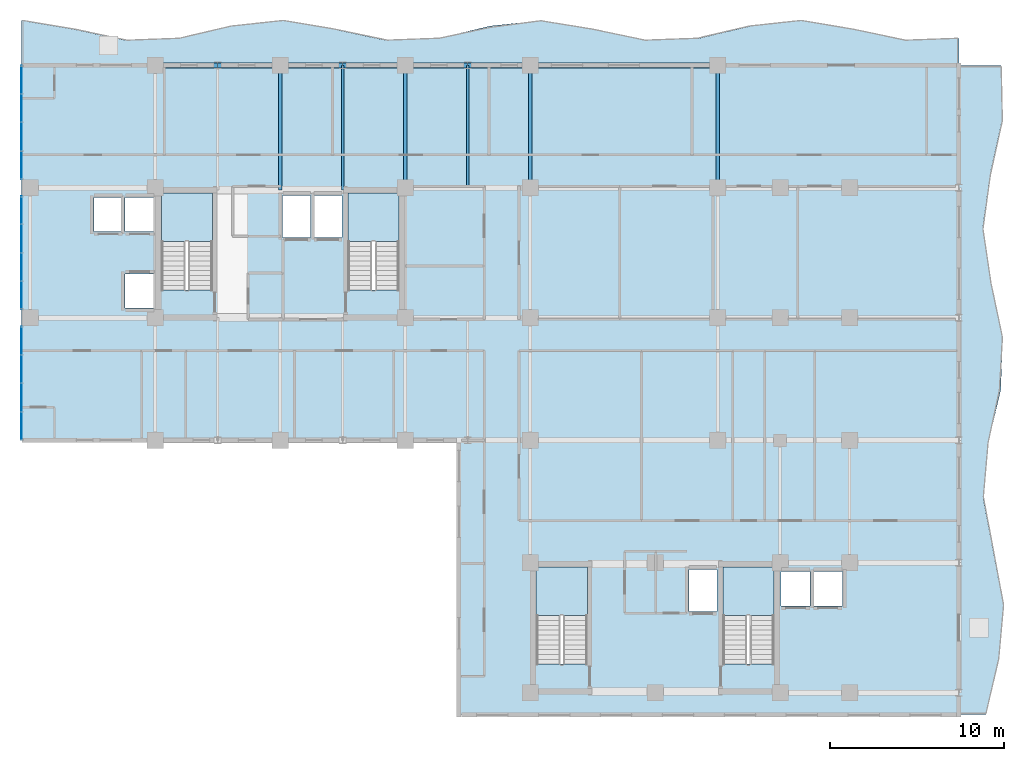
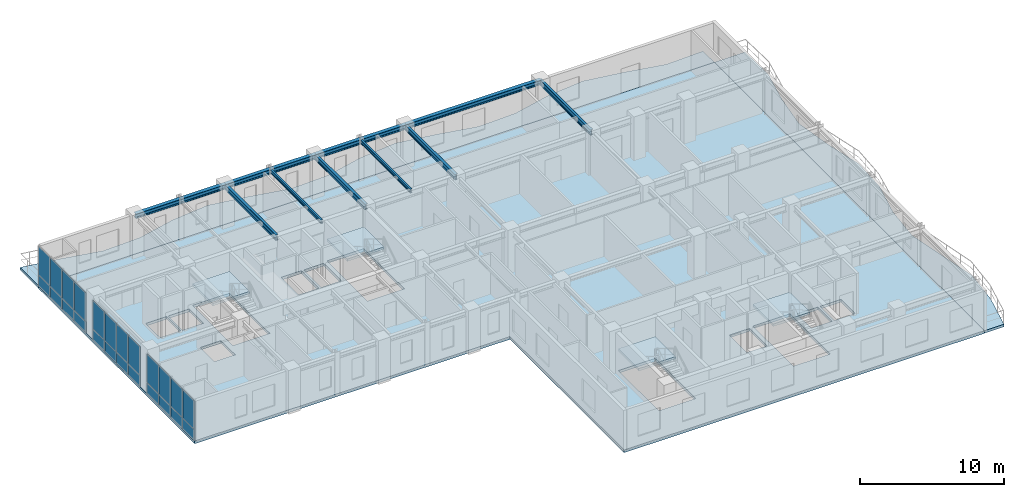
# One storey, part 11 of 20: 24 plates, 13 beams, 7 slabs, 7 elements without a shape of their own.
"""IFC4 building model written with IfcOpenShell, lengths in metres."""

from ifc_helpers import new_model, si_unit, direction, frame, origin, origin_2d, place, context, subcontext, project, spatial, polyline, rectangle, i_section, outline, extrude, source, transform, mapped, material, layer, layer_set, material_profile, profile_set, type_object, element, aggregate, save


model = new_model("IFC4")

# Units and contexts
model_context = context("Model", 3, precision=1e-05, world=origin(), true_north=direction((0.0, 1.0)))
body_context = subcontext(model_context, "Body", "Model", "MODEL_VIEW")
ifc_project = project(units=[si_unit("LENGTHUNIT", "METRE"), si_unit("AREAUNIT", "SQUARE_METRE"), si_unit("VOLUMEUNIT", "CUBIC_METRE"), si_unit("PLANEANGLEUNIT", "RADIAN"), si_unit("MASSUNIT", "GRAM", prefix="KILO")], contexts=[model_context])

# Site, building, storey
site_placement = place(None, origin())
site = spatial("IfcSite", under=ifc_project, at=site_placement, CompositionType="ELEMENT")
building_placement = place(site_placement, origin())
building = spatial("IfcBuilding", under=site, at=building_placement, Name="Kaliganga Portal Commons", CompositionType="ELEMENT")
storey_placement = place(building_placement, frame((0.0, 0.0, 216.60009765625)))
storey = spatial("IfcBuildingStorey", under=building, at=storey_placement, Name="L55", CompositionType="ELEMENT", Elevation=216.60009765625)

# Beams
ifc_material_1 = material(Name="Structural steel S355J2", Category="steel")
ifc_material_profile_1 = material_profile(ifc_material_1, i_section(OverallWidth=0.18994140625, OverallDepth=0.449951171875, WebThickness=0.009521484375, FlangeThickness=0.0146484375, FilletRadius=0.02099609375, at=origin_2d()), Name="IPE 450")
ifc_profile_set_1 = profile_set([ifc_material_profile_1], Name="Structural steel S355J2 wide-flange")
beam_type_1 = type_object("IfcBeamType", Name="BM-FLR-450", PredefinedType="BEAM", material=ifc_profile_set_1)
shared_shape_1 = source(origin(), body_context, "Body", "SweptSolid", [
    extrude(i_section(OverallWidth=0.18994140625, OverallDepth=0.449951171875, WebThickness=0.009521484375, FlangeThickness=0.0146484375, FilletRadius=0.02099609375, at=origin_2d()), origin(), (0.0, 0.0, 1.0), 7.050048828125),
])
for number, where, z_axis, x_axis, name in (
    (1, (28.800048828125, 36.14990234375, 3.244873046875), (0.0, 1.0, 0.0), (-1.0, 0.0, 0.0), "BM G L55 AN288"),
    (2, (36.0, 36.14990234375, 3.244873046875), (0.0, 1.0, 0.0), (-1.0, 0.0, 0.0), "BM G L55 AN360"),
    (3, (46.800048828125, 36.14990234375, 3.244873046875), (0.0, 1.0, 0.0), (-1.0, 0.0, 0.0), "BM G L55 AN468"),
):
    element("IfcBeam", number, at=place(storey_placement, frame(where, z_axis=z_axis, x_axis=x_axis)), inside=storey, type_object=beam_type_1, Name=name, PredefinedType="BEAM", context=body_context, shape_type="MappedRepresentation", body=[
        mapped(shared_shape_1, transform((0.0, 0.0, 0.0), x_axis=(1.0, 0.0, 0.0), y_axis=(0.0, 1.0, 0.0), z_axis=(0.0, 0.0, 1.0), scale=1.0)),
    ])
ifc_material_profile_2 = material_profile(ifc_material_1, i_section(OverallWidth=0.14990234375, OverallDepth=0.300048828125, WebThickness=0.007080078125, FlangeThickness=0.0107421875, FilletRadius=0.014892578125, at=origin_2d()), Name="IPE 300")
ifc_profile_set_2 = profile_set([ifc_material_profile_2], Name="Structural steel S355J2 wide-flange")
beam_type_2 = type_object("IfcBeamType", Name="BM-JST-300", PredefinedType="JOIST", material=ifc_profile_set_2)
shared_shape_2 = source(origin(), body_context, "Body", "SweptSolid", [
    extrude(i_section(OverallWidth=0.14990234375, OverallDepth=0.300048828125, WebThickness=0.007080078125, FlangeThickness=0.0107421875, FilletRadius=0.014892578125, at=origin_2d()), origin(), (0.0, 0.0, 1.0), 7.050048828125),
])
beam_1_placement = place(storey_placement, frame((32.39990234375, 36.14990234375, 3.31982421875), z_axis=(0.0, 1.0, 0.0), x_axis=(-1.0, 0.0, 0.0)))
element("IfcBeam", 4, at=beam_1_placement, inside=storey, type_object=beam_type_2, Name="BM G L55 AN324", PredefinedType="JOIST", context=body_context, shape_type="MappedRepresentation", body=[
    mapped(shared_shape_2, transform((0.0, 0.0, 0.0), x_axis=(1.0, 0.0, 0.0), y_axis=(0.0, 1.0, 0.0), z_axis=(0.0, 0.0, 1.0), scale=1.0)),
])
ifc_material_profile_3 = material_profile(ifc_material_1, i_section(OverallWidth=0.300048828125, OverallDepth=0.39990234375, WebThickness=0.013427734375, FlangeThickness=0.02392578125, FilletRadius=0.027099609375, at=origin_2d()), Name="HE 400 B")
ifc_profile_set_3 = profile_set([ifc_material_profile_3], Name="Structural steel S355J2 wide-flange")
beam_type_3 = type_object("IfcBeamType", Name="BM-SPAND-400", PredefinedType="SPANDREL", material=ifc_profile_set_3)
shared_shape_3 = source(origin(), body_context, "Body", "SweptSolid", [
    extrude(i_section(OverallWidth=0.300048828125, OverallDepth=0.39990234375, WebThickness=0.013427734375, FlangeThickness=0.02392578125, FilletRadius=0.027099609375, at=origin_2d()), origin(), (0.0, 0.0, 1.0), 3.60009765625),
])
for number, where, z_axis, x_axis, name in (
    (5, (14.39990234375, 43.199951171875, 3.27001953125), (1.0, 0.0, 0.0), (0.0, 1.0, 0.0), "BM SP L55 AN 1"),
    (6, (18.0, 43.199951171875, 3.27001953125), (1.0, 0.0, 0.0), (0.0, 1.0, 0.0), "BM SP L55 AN 2"),
    (7, (25.199951171875, 43.199951171875, 3.27001953125), (1.0, 0.0, 0.0), (0.0, 1.0, 0.0), "BM SP L55 AN 4"),
    (8, (32.39990234375, 43.199951171875, 3.27001953125), (1.0, 0.0, 0.0), (0.0, 1.0, 0.0), "BM SP L55 AN 6"),
):
    element("IfcBeam", number, at=place(storey_placement, frame(where, z_axis=z_axis, x_axis=x_axis)), inside=storey, type_object=beam_type_3, Name=name, PredefinedType="SPANDREL", context=body_context, shape_type="MappedRepresentation", body=[
        mapped(shared_shape_3, transform((0.0, 0.0, 0.0), x_axis=(1.0, 0.0, 0.0), y_axis=(0.0, 1.0, 0.0), z_axis=(0.0, 0.0, 1.0), scale=1.0)),
    ])
shared_shape_4 = source(origin(), body_context, "Body", "SweptSolid", [
    extrude(i_section(OverallWidth=0.300048828125, OverallDepth=0.39990234375, WebThickness=0.013427734375, FlangeThickness=0.02392578125, FilletRadius=0.027099609375, at=origin_2d()), origin(), (0.0, 0.0, 1.0), 3.599853515625),
])
for number, where, z_axis, x_axis, name in (
    (9, (21.60009765625, 43.199951171875, 3.27001953125), (1.0, 0.0, 0.0), (0.0, 1.0, 0.0), "BM SP L55 AN 3"),
    (10, (28.800048828125, 43.199951171875, 3.27001953125), (1.0, 0.0, 0.0), (0.0, 1.0, 0.0), "BM SP L55 AN 5"),
):
    element("IfcBeam", number, at=place(storey_placement, frame(where, z_axis=z_axis, x_axis=x_axis)), inside=storey, type_object=beam_type_3, Name=name, PredefinedType="SPANDREL", context=body_context, shape_type="MappedRepresentation", body=[
        mapped(shared_shape_4, transform((0.0, 0.0, 0.0), x_axis=(1.0, 0.0, 0.0), y_axis=(0.0, 1.0, 0.0), z_axis=(0.0, 0.0, 1.0), scale=1.0)),
    ])
shared_shape_5 = source(origin(), body_context, "Body", "SweptSolid", [
    extrude(i_section(OverallWidth=0.300048828125, OverallDepth=0.39990234375, WebThickness=0.013427734375, FlangeThickness=0.02392578125, FilletRadius=0.027099609375, at=origin_2d()), origin(), (0.0, 0.0, 1.0), 10.800048828125),
])
beam_2_placement = place(storey_placement, frame((36.0, 43.199951171875, 3.27001953125), z_axis=(1.0, 0.0, 0.0), x_axis=(0.0, 1.0, 0.0)))
element("IfcBeam", 11, at=beam_2_placement, inside=storey, type_object=beam_type_3, Name="BM SP L55 AN 7", PredefinedType="SPANDREL", context=body_context, shape_type="MappedRepresentation", body=[
    mapped(shared_shape_5, transform((0.0, 0.0, 0.0), x_axis=(1.0, 0.0, 0.0), y_axis=(0.0, 1.0, 0.0), z_axis=(0.0, 0.0, 1.0), scale=1.0)),
])
shared_shape_6 = source(origin(), body_context, "Body", "SweptSolid", [
    extrude(i_section(OverallWidth=0.14990234375, OverallDepth=0.300048828125, WebThickness=0.007080078125, FlangeThickness=0.0107421875, FilletRadius=0.014892578125, at=origin_2d()), origin(), (0.0, 0.0, 1.0), 7.175048828125),
])
beam_3_placement = place(storey_placement, frame((25.199951171875, 36.02490234375, 3.31982421875), z_axis=(0.0, 1.0, 0.0), x_axis=(-1.0, 0.0, 0.0)))
element("IfcBeam", 12, at=beam_3_placement, inside=storey, type_object=beam_type_2, Name="BM G L55 AN252", PredefinedType="JOIST", context=body_context, shape_type="MappedRepresentation", body=[
    mapped(shared_shape_6, transform((0.0, 0.0, 0.0), x_axis=(1.0, 0.0, 0.0), y_axis=(0.0, 1.0, 0.0), z_axis=(0.0, 0.0, 1.0), scale=1.0)),
])
shared_shape_7 = source(origin(), body_context, "Body", "SweptSolid", [
    extrude(i_section(OverallWidth=0.18994140625, OverallDepth=0.449951171875, WebThickness=0.009521484375, FlangeThickness=0.0146484375, FilletRadius=0.02099609375, at=origin_2d()), origin(), (0.0, 0.0, 1.0), 7.175048828125),
])
beam_4_placement = place(storey_placement, frame((21.60009765625, 36.02490234375, 3.244873046875), z_axis=(0.0, 1.0, 0.0), x_axis=(-1.0, 0.0, 0.0)))
element("IfcBeam", 13, at=beam_4_placement, inside=storey, type_object=beam_type_1, Name="BM G L55 AN216", PredefinedType="BEAM", context=body_context, shape_type="MappedRepresentation", body=[
    mapped(shared_shape_7, transform((0.0, 0.0, 0.0), x_axis=(1.0, 0.0, 0.0), y_axis=(0.0, 1.0, 0.0), z_axis=(0.0, 0.0, 1.0), scale=1.0)),
])

# Slabs
ifc_material_2 = material(Name="Concrete C40/50", Category="concrete")
ifc_layer_1 = layer(ifc_material_2, 0.2099609375)
ifc_layer_set_1 = layer_set([ifc_layer_1], Name="Concrete C40/50")
slab_type_1 = type_object("IfcSlabType", Name="SLB-BALC-210", PredefinedType="FLOOR", material=ifc_layer_set_1)
slab_1_placement = place(storey_placement, frame((0.0, 0.0, -0.210205078125)))
element("IfcSlab", 14, at=slab_1_placement, inside=storey, type_object=slab_type_1, Name="Scalloped Tree-Planter Balcony Slab L55 balc_north", PredefinedType="FLOOR", context=body_context, shape_type="SweptSolid", body=[
    extrude(outline(polyline([(60.699951171875, 43.199951171875), (60.699951171875, 44.760498046875), (57.699951171875, 44.6484375), (54.699951171875, 45.286376953125), (51.699951171875, 45.79248046875), (48.699951171875, 45.467529296875), (45.699951171875, 44.760498046875), (42.699951171875, 44.6484375), (39.699951171875, 45.286376953125), (36.699951171875, 45.79248046875), (33.699951171875, 45.467529296875), (30.699951171875, 44.760498046875), (27.699951171875, 44.6484375), (24.699951171875, 45.286376953125), (21.699951171875, 45.79248046875), (18.699951171875, 45.467529296875), (15.699951171875, 44.760498046875), (12.699951171875, 44.6484375), (9.699951171875, 45.286376953125), (6.699951171875, 45.79248046875), (6.699951171875, 43.199951171875), (60.699951171875, 43.199951171875)])), origin(), (0.0, 0.0, 1.0), 0.210205078125),
])
slab_2_placement = place(storey_placement, frame((0.0, 0.0, -0.210205078125)))
element("IfcSlab", 15, at=slab_2_placement, inside=storey, type_object=slab_type_1, Name="Scalloped Tree-Planter Balcony Slab L55 balc_east", PredefinedType="FLOOR", context=body_context, shape_type="SweptSolid", body=[
    extrude(outline(polyline([(60.699951171875, 5.800048828125), (62.260498046875, 5.800048828125), (62.99365234375, 8.916748046875), (63.2802734375, 12.033203125), (62.697509765625, 15.14990234375), (62.10498046875, 18.2666015625), (62.377197265625, 21.38330078125), (63.112548828125, 24.5), (63.2255859375, 27.61669921875), (62.5498046875, 30.7333984375), (62.082275390625, 33.85009765625), (62.512939453125, 36.966796875), (63.206298828125, 40.083251953125), (63.139404296875, 43.199951171875), (60.699951171875, 43.199951171875), (60.699951171875, 5.800048828125)])), origin(), (0.0, 0.0, 1.0), 0.210205078125),
])

# Stair, slab
stair_type = type_object("IfcStairType", Name="ST-CORE-DOGLEG", PredefinedType="HALF_TURN_STAIR", material=ifc_material_2)
stair_1_placement = place(storey_placement, origin())
stair_1 = element("IfcStair", 16, at=stair_1_placement, inside=storey, type_object=stair_type, Name="L55 Protected Exit Stair ST-A1", PredefinedType="HALF_TURN_STAIR")
ifc_layer_2 = layer(ifc_material_2, 0.199951171875)
ifc_layer_set_2 = layer_set([ifc_layer_2], Name="Concrete C40/50")
slab_type_2 = type_object("IfcSlabType", Name="SLB-STAIR-LND", PredefinedType="LANDING", material=ifc_layer_set_2)
slab_3_placement = place(storey_placement, frame((0.0, 0.0, 1.64990234375)))
slab_3 = element("IfcSlab", 17, at=slab_3_placement, type_object=slab_type_2, Name="ST-A1 landing 1", PredefinedType="LANDING", context=body_context, shape_type="SweptSolid", body=[
    extrude(outline(polyline([(17.699951171875, 33.050048828125), (17.699951171875, 35.85009765625), (14.75, 35.85009765625), (14.75, 33.050048828125), (17.699951171875, 33.050048828125)])), origin(), (0.0, 0.0, 1.0), 0.199951171875),
])
aggregate(stair_1, [slab_3])

stair_2_placement = place(storey_placement, origin())
stair_2 = element("IfcStair", 18, at=stair_2_placement, inside=storey, type_object=stair_type, Name="L55 Protected Exit Stair ST-A2", PredefinedType="HALF_TURN_STAIR")
slab_4_placement = place(storey_placement, frame((0.0, 0.0, 1.64990234375)))
slab_4 = element("IfcSlab", 19, at=slab_4_placement, type_object=slab_type_2, Name="ST-A2 landing 1", PredefinedType="LANDING", context=body_context, shape_type="SweptSolid", body=[
    extrude(outline(polyline([(28.449951171875, 33.050048828125), (28.449951171875, 35.85009765625), (25.5, 35.85009765625), (25.5, 33.050048828125), (28.449951171875, 33.050048828125)])), origin(), (0.0, 0.0, 1.0), 0.199951171875),
])
aggregate(stair_2, [slab_4])

stair_3_placement = place(storey_placement, origin())
stair_3 = element("IfcStair", 20, at=stair_3_placement, inside=storey, type_object=stair_type, Name="L55 Protected Exit Stair ST-B1", PredefinedType="HALF_TURN_STAIR")
slab_5_placement = place(storey_placement, frame((0.0, 0.0, 1.64990234375)))
slab_5 = element("IfcSlab", 21, at=slab_5_placement, type_object=slab_type_2, Name="ST-B1 landing 1", PredefinedType="LANDING", context=body_context, shape_type="SweptSolid", body=[
    extrude(outline(polyline([(39.300048828125, 11.5), (39.300048828125, 14.300048828125), (36.35009765625, 14.300048828125), (36.35009765625, 11.5), (39.300048828125, 11.5)])), origin(), (0.0, 0.0, 1.0), 0.199951171875),
])
aggregate(stair_3, [slab_5])

stair_4_placement = place(storey_placement, origin())
stair_4 = element("IfcStair", 22, at=stair_4_placement, inside=storey, type_object=stair_type, Name="L55 Protected Exit Stair ST-B2", PredefinedType="HALF_TURN_STAIR")
slab_6_placement = place(storey_placement, frame((0.0, 0.0, 1.64990234375)))
slab_6 = element("IfcSlab", 23, at=slab_6_placement, type_object=slab_type_2, Name="ST-B2 landing 1", PredefinedType="LANDING", context=body_context, shape_type="SweptSolid", body=[
    extrude(outline(polyline([(50.050048828125, 11.5), (50.050048828125, 14.300048828125), (47.10009765625, 14.300048828125), (47.10009765625, 11.5), (50.050048828125, 11.5)])), origin(), (0.0, 0.0, 1.0), 0.199951171875),
])
aggregate(stair_4, [slab_6])

# Slab
ifc_layer_3 = layer(ifc_material_2, 0.22998046875)
ifc_layer_set_3 = layer_set([ifc_layer_3], Name="Concrete C40/50")
slab_type_3 = type_object("IfcSlabType", Name="SLB-TWR-230", PredefinedType="FLOOR", material=ifc_layer_set_3)
slab_7_placement = place(storey_placement, frame((0.0, 0.0, -0.22998046875)))
element("IfcSlab", 24, at=slab_7_placement, inside=storey, type_object=slab_type_3, Name="Structural Floor Slab L55", PredefinedType="FLOOR", context=body_context, shape_type="SweptSolid", body=[
    extrude(outline(polyline([(31.89990234375, 5.800048828125), (60.699951171875, 5.800048828125), (60.699951171875, 43.199951171875), (6.699951171875, 43.199951171875), (6.699951171875, 21.60009765625), (31.89990234375, 21.60009765625), (31.89990234375, 5.800048828125)]), holes=[polyline([(14.75, 30.25390625), (14.75, 35.85009765625), (17.699951171875, 35.85009765625), (17.699951171875, 30.25390625), (14.75, 30.25390625)]), polyline([(25.5, 30.25390625), (25.5, 35.85009765625), (28.449951171875, 35.85009765625), (28.449951171875, 30.25390625), (25.5, 30.25390625)]), polyline([(36.35009765625, 8.7041015625), (36.35009765625, 14.300048828125), (39.300048828125, 14.300048828125), (39.300048828125, 8.7041015625), (36.35009765625, 8.7041015625)]), polyline([(47.10009765625, 8.7041015625), (47.10009765625, 14.300048828125), (50.050048828125, 14.300048828125), (50.050048828125, 8.7041015625), (47.10009765625, 8.7041015625)]), polyline([(12.6650390625, 33.614990234375), (12.6650390625, 35.5849609375), (14.3349609375, 35.5849609375), (14.3349609375, 33.614990234375), (12.6650390625, 33.614990234375)]), polyline([(12.6650390625, 29.215087890625), (12.6650390625, 31.18505859375), (14.3349609375, 31.18505859375), (14.3349609375, 29.215087890625), (12.6650390625, 29.215087890625)]), polyline([(10.864990234375, 33.614990234375), (10.864990234375, 35.5849609375), (12.534912109375, 35.5849609375), (12.534912109375, 33.614990234375), (10.864990234375, 33.614990234375)]), polyline([(21.739990234375, 33.2900390625), (21.739990234375, 35.7099609375), (23.360107421875, 35.7099609375), (23.360107421875, 33.2900390625), (21.739990234375, 33.2900390625)]), polyline([(23.5400390625, 33.2900390625), (23.5400390625, 35.7099609375), (25.159912109375, 35.7099609375), (25.159912109375, 33.2900390625), (23.5400390625, 33.2900390625)]), polyline([(50.465087890625, 12.06494140625), (50.465087890625, 14.034912109375), (52.135009765625, 14.034912109375), (52.135009765625, 12.06494140625), (50.465087890625, 12.06494140625)]), polyline([(52.31494140625, 12.06494140625), (52.31494140625, 14.034912109375), (53.985107421875, 14.034912109375), (53.985107421875, 12.06494140625), (52.31494140625, 12.06494140625)]), polyline([(45.139892578125, 11.739990234375), (45.139892578125, 14.159912109375), (46.760009765625, 14.159912109375), (46.760009765625, 11.739990234375), (45.139892578125, 11.739990234375)])]), origin(), (0.0, 0.0, 1.0), 0.22998046875),
])

# Curtain wall, plates
ifc_material_3 = material(Name="Anodized Aluminium and Laminated Low-E Glass", Category="aluminium")
ifc_layer_4 = layer(ifc_material_3, 0.199951171875)
ifc_layer_set_4 = layer_set([ifc_layer_4], Name="Anodized Aluminium and Laminated Low-E Glass")
curtain_wall_type = type_object("IfcCurtainWallType", Name="CW-SYS-02", PredefinedType="NOTDEFINED", material=ifc_layer_set_4)
curtain_wall_1_placement = place(storey_placement, origin())
curtain_wall_1 = element("IfcCurtainWall", 25, at=curtain_wall_1_placement, inside=storey, type_object=curtain_wall_type, Name="CW 02 L55 P1E03S1", PredefinedType="NOTDEFINED")
ifc_material_4 = material(Name="Insulated Dark Spandrel Panel", Category="metal")
ifc_layer_5 = layer(ifc_material_4, 0.044921875)
ifc_layer_set_5 = layer_set([ifc_layer_5], Name="Insulated Dark Spandrel Panel")
plate_type_1 = type_object("IfcPlateType", Name="PLT-SPN-45", PredefinedType="SHEET", material=ifc_layer_set_5)
shared_shape_8 = source(origin(), body_context, "Body", "SweptSolid", [
    extrude(rectangle(XDim=1.603515625, YDim=0.044921875, at=origin_2d()), origin(), (0.0, 0.0, 1.0), 0.929931640625),
])
plate_1_placement = place(storey_placement, frame((6.699951171875, 42.37841796875, 0.009765625), z_axis=(0.0, 0.0, 1.0), x_axis=(0.0, -1.0, 0.0)))
plate_1 = element("IfcPlate", 26, at=plate_1_placement, type_object=plate_type_1, Name="CW:02:L55:P1E03S1 Spandrel 00", PredefinedType="SHEET", context=body_context, shape_type="MappedRepresentation", body=[
    mapped(shared_shape_8, transform((0.0, 0.0, 0.0), x_axis=(1.0, 0.0, 0.0), y_axis=(0.0, 1.0, 0.0), z_axis=(0.0, 0.0, 1.0), scale=1.0)),
])
plate_2_placement = place(storey_placement, frame((6.699951171875, 40.734619140625, 0.009765625), z_axis=(0.0, 0.0, 1.0), x_axis=(0.0, -1.0, 0.0)))
plate_2 = element("IfcPlate", 27, at=plate_2_placement, type_object=plate_type_1, Name="CW:02:L55:P1E03S1 Spandrel 01", PredefinedType="SHEET", context=body_context, shape_type="MappedRepresentation", body=[
    mapped(shared_shape_8, transform((0.0, 0.0, 0.0), x_axis=(1.0, 0.0, 0.0), y_axis=(0.0, 1.0, 0.0), z_axis=(0.0, 0.0, 1.0), scale=1.0)),
])
plate_3_placement = place(storey_placement, frame((6.699951171875, 39.09130859375, 0.009765625), z_axis=(0.0, 0.0, 1.0), x_axis=(0.0, -1.0, 0.0)))
plate_3 = element("IfcPlate", 28, at=plate_3_placement, type_object=plate_type_1, Name="CW:02:L55:P1E03S1 Spandrel 02", PredefinedType="SHEET", context=body_context, shape_type="MappedRepresentation", body=[
    mapped(shared_shape_8, transform((0.0, 0.0, 0.0), x_axis=(1.0, 0.0, 0.0), y_axis=(0.0, 1.0, 0.0), z_axis=(0.0, 0.0, 1.0), scale=1.0)),
])
plate_4_placement = place(storey_placement, frame((6.699951171875, 37.44775390625, 0.009765625), z_axis=(0.0, 0.0, 1.0), x_axis=(0.0, -1.0, 0.0)))
plate_4 = element("IfcPlate", 29, at=plate_4_placement, type_object=plate_type_1, Name="CW:02:L55:P1E03S1 Spandrel 03", PredefinedType="SHEET", context=body_context, shape_type="MappedRepresentation", body=[
    mapped(shared_shape_8, transform((0.0, 0.0, 0.0), x_axis=(1.0, 0.0, 0.0), y_axis=(0.0, 1.0, 0.0), z_axis=(0.0, 0.0, 1.0), scale=1.0)),
])

curtain_wall_2_placement = place(storey_placement, origin())
curtain_wall_2 = element("IfcCurtainWall", 30, at=curtain_wall_2_placement, inside=storey, type_object=curtain_wall_type, Name="CW 02 L55 P1E03S3", PredefinedType="NOTDEFINED")
plate_5_placement = place(storey_placement, frame((6.699951171875, 27.352294921875, 0.009765625), z_axis=(0.0, 0.0, 1.0), x_axis=(0.0, -1.0, 0.0)))
plate_5 = element("IfcPlate", 31, at=plate_5_placement, type_object=plate_type_1, Name="CW:02:L55:P1E03S3 Spandrel 00", PredefinedType="SHEET", context=body_context, shape_type="MappedRepresentation", body=[
    mapped(shared_shape_8, transform((0.0, 0.0, 0.0), x_axis=(1.0, 0.0, 0.0), y_axis=(0.0, 1.0, 0.0), z_axis=(0.0, 0.0, 1.0), scale=1.0)),
])
plate_6_placement = place(storey_placement, frame((6.699951171875, 25.708740234375, 0.009765625), z_axis=(0.0, 0.0, 1.0), x_axis=(0.0, -1.0, 0.0)))
plate_6 = element("IfcPlate", 32, at=plate_6_placement, type_object=plate_type_1, Name="CW:02:L55:P1E03S3 Spandrel 01", PredefinedType="SHEET", context=body_context, shape_type="MappedRepresentation", body=[
    mapped(shared_shape_8, transform((0.0, 0.0, 0.0), x_axis=(1.0, 0.0, 0.0), y_axis=(0.0, 1.0, 0.0), z_axis=(0.0, 0.0, 1.0), scale=1.0)),
])
plate_7_placement = place(storey_placement, frame((6.699951171875, 24.065185546875, 0.009765625), z_axis=(0.0, 0.0, 1.0), x_axis=(0.0, -1.0, 0.0)))
plate_7 = element("IfcPlate", 33, at=plate_7_placement, type_object=plate_type_1, Name="CW:02:L55:P1E03S3 Spandrel 02", PredefinedType="SHEET", context=body_context, shape_type="MappedRepresentation", body=[
    mapped(shared_shape_8, transform((0.0, 0.0, 0.0), x_axis=(1.0, 0.0, 0.0), y_axis=(0.0, 1.0, 0.0), z_axis=(0.0, 0.0, 1.0), scale=1.0)),
])
plate_8_placement = place(storey_placement, frame((6.699951171875, 22.421875, 0.009765625), z_axis=(0.0, 0.0, 1.0), x_axis=(0.0, -1.0, 0.0)))
plate_8 = element("IfcPlate", 34, at=plate_8_placement, type_object=plate_type_1, Name="CW:02:L55:P1E03S3 Spandrel 03", PredefinedType="SHEET", context=body_context, shape_type="MappedRepresentation", body=[
    mapped(shared_shape_8, transform((0.0, 0.0, 0.0), x_axis=(1.0, 0.0, 0.0), y_axis=(0.0, 1.0, 0.0), z_axis=(0.0, 0.0, 1.0), scale=1.0)),
])

# Plate
ifc_material_5 = material(Name="Dark Solar-Control Laminated Low-E IGU", Category="glass")
ifc_layer_6 = layer(ifc_material_5, 0.028076171875)
ifc_layer_set_6 = layer_set([ifc_layer_6], Name="Dark Solar-Control Laminated Low-E IGU")
plate_type_2 = type_object("IfcPlateType", Name="PLT-GLZ-28", PredefinedType="CURTAIN_PANEL", material=ifc_layer_set_6)
shared_shape_9 = source(origin(), body_context, "Body", "SweptSolid", [
    extrude(rectangle(XDim=1.603515625, YDim=0.028076171875, at=origin_2d()), origin(), (0.0, 0.0, 1.0), 2.419921875),
])
plate_9_placement = place(storey_placement, frame((6.699951171875, 42.37841796875, 0.9599609375), z_axis=(0.0, 0.0, 1.0), x_axis=(0.0, -1.0, 0.0)))
plate_9 = element("IfcPlate", 35, at=plate_9_placement, type_object=plate_type_2, Name="CW:02:L55:P1E03S1 Vision IGU 00", PredefinedType="CURTAIN_PANEL", context=body_context, shape_type="MappedRepresentation", body=[
    mapped(shared_shape_9, transform((0.0, 0.0, 0.0), x_axis=(1.0, 0.0, 0.0), y_axis=(0.0, 1.0, 0.0), z_axis=(0.0, 0.0, 1.0), scale=1.0)),
])

plate_10_placement = place(storey_placement, frame((6.699951171875, 40.734619140625, 0.9599609375), z_axis=(0.0, 0.0, 1.0), x_axis=(0.0, -1.0, 0.0)))
plate_10 = element("IfcPlate", 36, at=plate_10_placement, type_object=plate_type_2, Name="CW:02:L55:P1E03S1 Vision IGU 01", PredefinedType="CURTAIN_PANEL", context=body_context, shape_type="MappedRepresentation", body=[
    mapped(shared_shape_9, transform((0.0, 0.0, 0.0), x_axis=(1.0, 0.0, 0.0), y_axis=(0.0, 1.0, 0.0), z_axis=(0.0, 0.0, 1.0), scale=1.0)),
])

plate_11_placement = place(storey_placement, frame((6.699951171875, 39.09130859375, 0.9599609375), z_axis=(0.0, 0.0, 1.0), x_axis=(0.0, -1.0, 0.0)))
plate_11 = element("IfcPlate", 37, at=plate_11_placement, type_object=plate_type_2, Name="CW:02:L55:P1E03S1 Vision IGU 02", PredefinedType="CURTAIN_PANEL", context=body_context, shape_type="MappedRepresentation", body=[
    mapped(shared_shape_9, transform((0.0, 0.0, 0.0), x_axis=(1.0, 0.0, 0.0), y_axis=(0.0, 1.0, 0.0), z_axis=(0.0, 0.0, 1.0), scale=1.0)),
])

plate_12_placement = place(storey_placement, frame((6.699951171875, 37.44775390625, 0.9599609375), z_axis=(0.0, 0.0, 1.0), x_axis=(0.0, -1.0, 0.0)))
plate_12 = element("IfcPlate", 38, at=plate_12_placement, type_object=plate_type_2, Name="CW:02:L55:P1E03S1 Vision IGU 03", PredefinedType="CURTAIN_PANEL", context=body_context, shape_type="MappedRepresentation", body=[
    mapped(shared_shape_9, transform((0.0, 0.0, 0.0), x_axis=(1.0, 0.0, 0.0), y_axis=(0.0, 1.0, 0.0), z_axis=(0.0, 0.0, 1.0), scale=1.0)),
])

aggregate(curtain_wall_1, [plate_1, plate_9, plate_2, plate_10, plate_3, plate_11, plate_4, plate_12])

plate_13_placement = place(storey_placement, frame((6.699951171875, 27.352294921875, 0.9599609375), z_axis=(0.0, 0.0, 1.0), x_axis=(0.0, -1.0, 0.0)))
plate_13 = element("IfcPlate", 39, at=plate_13_placement, type_object=plate_type_2, Name="CW:02:L55:P1E03S3 Vision IGU 00", PredefinedType="CURTAIN_PANEL", context=body_context, shape_type="MappedRepresentation", body=[
    mapped(shared_shape_9, transform((0.0, 0.0, 0.0), x_axis=(1.0, 0.0, 0.0), y_axis=(0.0, 1.0, 0.0), z_axis=(0.0, 0.0, 1.0), scale=1.0)),
])

plate_14_placement = place(storey_placement, frame((6.699951171875, 25.708740234375, 0.9599609375), z_axis=(0.0, 0.0, 1.0), x_axis=(0.0, -1.0, 0.0)))
plate_14 = element("IfcPlate", 40, at=plate_14_placement, type_object=plate_type_2, Name="CW:02:L55:P1E03S3 Vision IGU 01", PredefinedType="CURTAIN_PANEL", context=body_context, shape_type="MappedRepresentation", body=[
    mapped(shared_shape_9, transform((0.0, 0.0, 0.0), x_axis=(1.0, 0.0, 0.0), y_axis=(0.0, 1.0, 0.0), z_axis=(0.0, 0.0, 1.0), scale=1.0)),
])

plate_15_placement = place(storey_placement, frame((6.699951171875, 24.065185546875, 0.9599609375), z_axis=(0.0, 0.0, 1.0), x_axis=(0.0, -1.0, 0.0)))
plate_15 = element("IfcPlate", 41, at=plate_15_placement, type_object=plate_type_2, Name="CW:02:L55:P1E03S3 Vision IGU 02", PredefinedType="CURTAIN_PANEL", context=body_context, shape_type="MappedRepresentation", body=[
    mapped(shared_shape_9, transform((0.0, 0.0, 0.0), x_axis=(1.0, 0.0, 0.0), y_axis=(0.0, 1.0, 0.0), z_axis=(0.0, 0.0, 1.0), scale=1.0)),
])

plate_16_placement = place(storey_placement, frame((6.699951171875, 22.421875, 0.9599609375), z_axis=(0.0, 0.0, 1.0), x_axis=(0.0, -1.0, 0.0)))
plate_16 = element("IfcPlate", 42, at=plate_16_placement, type_object=plate_type_2, Name="CW:02:L55:P1E03S3 Vision IGU 03", PredefinedType="CURTAIN_PANEL", context=body_context, shape_type="MappedRepresentation", body=[
    mapped(shared_shape_9, transform((0.0, 0.0, 0.0), x_axis=(1.0, 0.0, 0.0), y_axis=(0.0, 1.0, 0.0), z_axis=(0.0, 0.0, 1.0), scale=1.0)),
])

aggregate(curtain_wall_2, [plate_5, plate_13, plate_6, plate_14, plate_7, plate_15, plate_8, plate_16])

# Curtain wall, plates
curtain_wall_3_placement = place(storey_placement, origin())
curtain_wall_3 = element("IfcCurtainWall", 43, at=curtain_wall_3_placement, inside=storey, type_object=curtain_wall_type, Name="CW 02 L55 P1E03S2", PredefinedType="NOTDEFINED")
shared_shape_10 = source(origin(), body_context, "Body", "SweptSolid", [
    extrude(rectangle(XDim=1.596923828125, YDim=0.044921875, at=origin_2d()), origin(), (0.0, 0.0, 1.0), 0.929931640625),
])
plate_17_placement = place(storey_placement, frame((6.699951171875, 34.85546875, 0.009765625), z_axis=(0.0, 0.0, 1.0), x_axis=(0.0, -1.0, 0.0)))
plate_17 = element("IfcPlate", 44, at=plate_17_placement, type_object=plate_type_1, Name="CW:02:L55:P1E03S2 Spandrel 00", PredefinedType="SHEET", context=body_context, shape_type="MappedRepresentation", body=[
    mapped(shared_shape_10, transform((0.0, 0.0, 0.0), x_axis=(1.0, 0.0, 0.0), y_axis=(0.0, 1.0, 0.0), z_axis=(0.0, 0.0, 1.0), scale=1.0)),
])
plate_18_placement = place(storey_placement, frame((6.699951171875, 33.218505859375, 0.009765625), z_axis=(0.0, 0.0, 1.0), x_axis=(0.0, -1.0, 0.0)))
plate_18 = element("IfcPlate", 45, at=plate_18_placement, type_object=plate_type_1, Name="CW:02:L55:P1E03S2 Spandrel 01", PredefinedType="SHEET", context=body_context, shape_type="MappedRepresentation", body=[
    mapped(shared_shape_10, transform((0.0, 0.0, 0.0), x_axis=(1.0, 0.0, 0.0), y_axis=(0.0, 1.0, 0.0), z_axis=(0.0, 0.0, 1.0), scale=1.0)),
])
plate_19_placement = place(storey_placement, frame((6.699951171875, 31.58154296875, 0.009765625), z_axis=(0.0, 0.0, 1.0), x_axis=(0.0, -1.0, 0.0)))
plate_19 = element("IfcPlate", 46, at=plate_19_placement, type_object=plate_type_1, Name="CW:02:L55:P1E03S2 Spandrel 02", PredefinedType="SHEET", context=body_context, shape_type="MappedRepresentation", body=[
    mapped(shared_shape_10, transform((0.0, 0.0, 0.0), x_axis=(1.0, 0.0, 0.0), y_axis=(0.0, 1.0, 0.0), z_axis=(0.0, 0.0, 1.0), scale=1.0)),
])
plate_20_placement = place(storey_placement, frame((6.699951171875, 29.944580078125, 0.009765625), z_axis=(0.0, 0.0, 1.0), x_axis=(0.0, -1.0, 0.0)))
plate_20 = element("IfcPlate", 47, at=plate_20_placement, type_object=plate_type_1, Name="CW:02:L55:P1E03S2 Spandrel 03", PredefinedType="SHEET", context=body_context, shape_type="MappedRepresentation", body=[
    mapped(shared_shape_10, transform((0.0, 0.0, 0.0), x_axis=(1.0, 0.0, 0.0), y_axis=(0.0, 1.0, 0.0), z_axis=(0.0, 0.0, 1.0), scale=1.0)),
])
shared_shape_11 = source(origin(), body_context, "Body", "SweptSolid", [
    extrude(rectangle(XDim=1.596923828125, YDim=0.028076171875, at=origin_2d()), origin(), (0.0, 0.0, 1.0), 2.419921875),
])
plate_21_placement = place(storey_placement, frame((6.699951171875, 34.85546875, 0.9599609375), z_axis=(0.0, 0.0, 1.0), x_axis=(0.0, -1.0, 0.0)))
plate_21 = element("IfcPlate", 48, at=plate_21_placement, type_object=plate_type_2, Name="CW:02:L55:P1E03S2 Vision IGU 00", PredefinedType="CURTAIN_PANEL", context=body_context, shape_type="MappedRepresentation", body=[
    mapped(shared_shape_11, transform((0.0, 0.0, 0.0), x_axis=(1.0, 0.0, 0.0), y_axis=(0.0, 1.0, 0.0), z_axis=(0.0, 0.0, 1.0), scale=1.0)),
])
plate_22_placement = place(storey_placement, frame((6.699951171875, 33.218505859375, 0.9599609375), z_axis=(0.0, 0.0, 1.0), x_axis=(0.0, -1.0, 0.0)))
plate_22 = element("IfcPlate", 49, at=plate_22_placement, type_object=plate_type_2, Name="CW:02:L55:P1E03S2 Vision IGU 01", PredefinedType="CURTAIN_PANEL", context=body_context, shape_type="MappedRepresentation", body=[
    mapped(shared_shape_11, transform((0.0, 0.0, 0.0), x_axis=(1.0, 0.0, 0.0), y_axis=(0.0, 1.0, 0.0), z_axis=(0.0, 0.0, 1.0), scale=1.0)),
])
plate_23_placement = place(storey_placement, frame((6.699951171875, 31.58154296875, 0.9599609375), z_axis=(0.0, 0.0, 1.0), x_axis=(0.0, -1.0, 0.0)))
plate_23 = element("IfcPlate", 50, at=plate_23_placement, type_object=plate_type_2, Name="CW:02:L55:P1E03S2 Vision IGU 02", PredefinedType="CURTAIN_PANEL", context=body_context, shape_type="MappedRepresentation", body=[
    mapped(shared_shape_11, transform((0.0, 0.0, 0.0), x_axis=(1.0, 0.0, 0.0), y_axis=(0.0, 1.0, 0.0), z_axis=(0.0, 0.0, 1.0), scale=1.0)),
])
plate_24_placement = place(storey_placement, frame((6.699951171875, 29.944580078125, 0.9599609375), z_axis=(0.0, 0.0, 1.0), x_axis=(0.0, -1.0, 0.0)))
plate_24 = element("IfcPlate", 51, at=plate_24_placement, type_object=plate_type_2, Name="CW:02:L55:P1E03S2 Vision IGU 03", PredefinedType="CURTAIN_PANEL", context=body_context, shape_type="MappedRepresentation", body=[
    mapped(shared_shape_11, transform((0.0, 0.0, 0.0), x_axis=(1.0, 0.0, 0.0), y_axis=(0.0, 1.0, 0.0), z_axis=(0.0, 0.0, 1.0), scale=1.0)),
])
aggregate(curtain_wall_3, [plate_17, plate_21, plate_18, plate_22, plate_19, plate_23, plate_20, plate_24])

save(model, "model.ifc")
